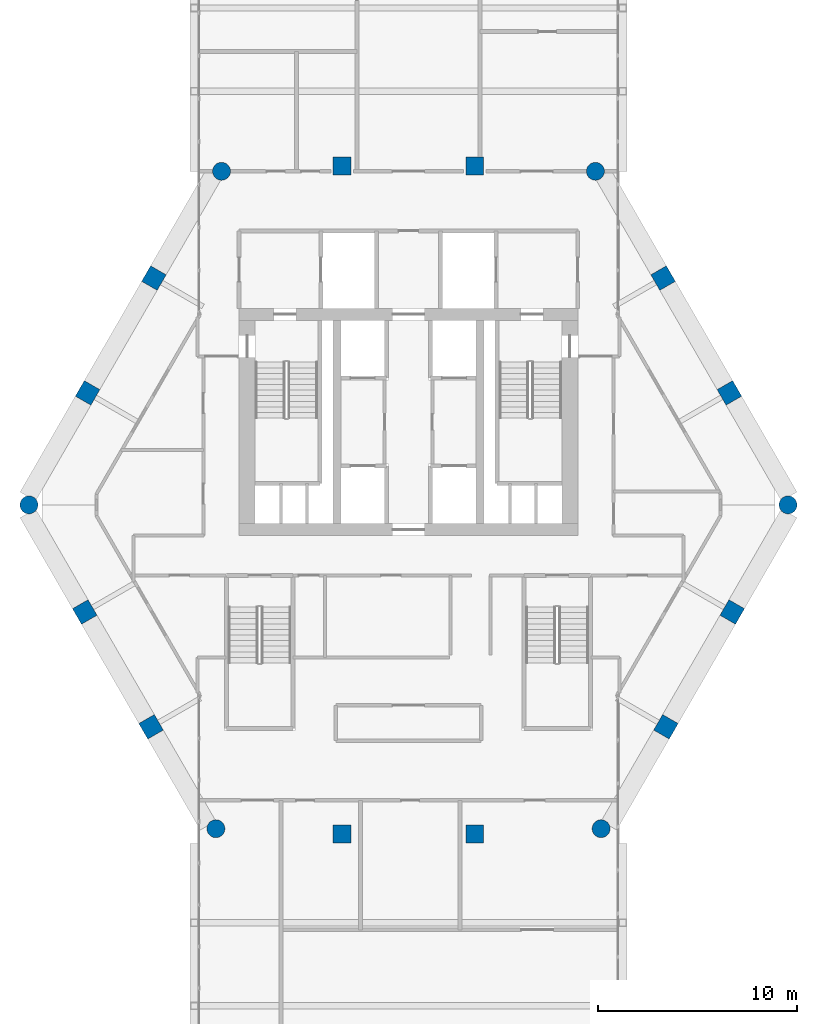
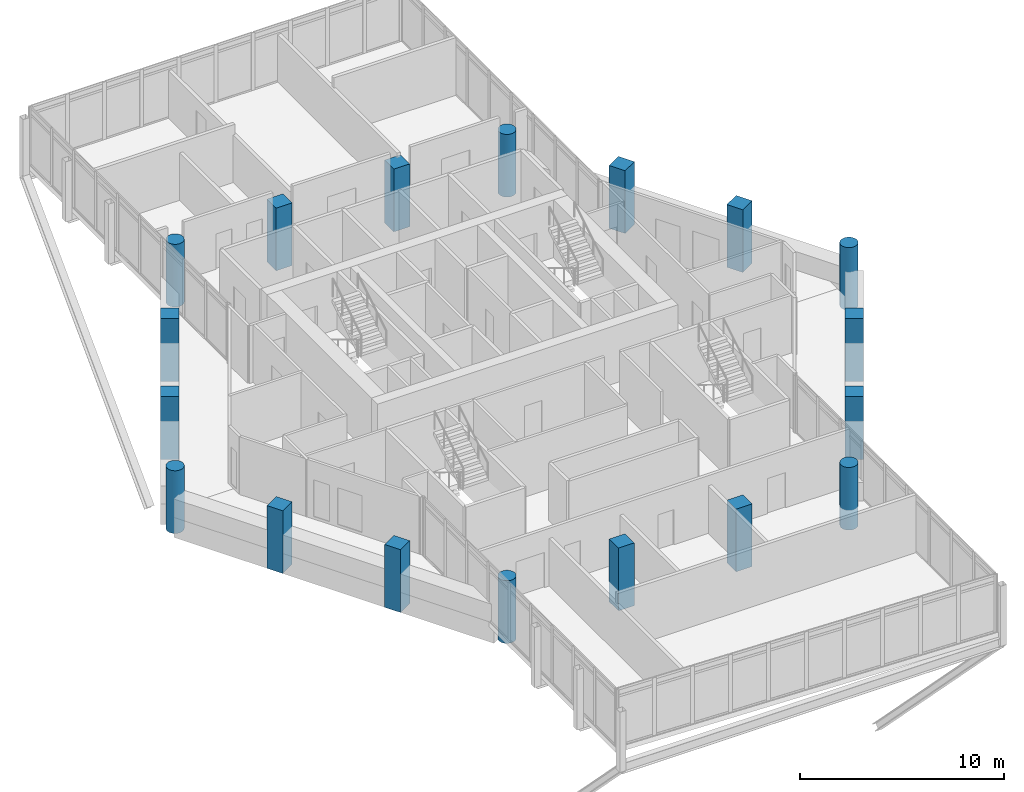
# One storey, part 1 of 34: 18 columns.
"""IFC4 building model written with IfcOpenShell, lengths in metres."""

from ifc_helpers import new_model, si_unit, direction, frame, origin, origin_2d, place, context, subcontext, project, spatial, rectangle, circle, extrude, material, material_profile, profile_set, type_object, element, save


model = new_model("IFC4")

# Units and contexts
model_context = context("Model", 3, precision=1e-05, world=origin(), true_north=direction((0.0, 1.0)))
body_context = subcontext(model_context, "Body", "Model", "MODEL_VIEW")
ifc_project = project(units=[si_unit("LENGTHUNIT", "METRE"), si_unit("AREAUNIT", "SQUARE_METRE"), si_unit("VOLUMEUNIT", "CUBIC_METRE"), si_unit("PLANEANGLEUNIT", "RADIAN"), si_unit("MASSUNIT", "GRAM", prefix="KILO")], contexts=[model_context])

# Site, building, storey
site_placement = place(None, origin())
site = spatial("IfcSite", under=ifc_project, at=site_placement, CompositionType="ELEMENT")
building_placement = place(site_placement, origin())
building = spatial("IfcBuilding", under=site, at=building_placement, Name="Ostrander Bayou Hotel Tower", CompositionType="ELEMENT")
storey_placement = place(building_placement, frame((0.0, 0.0, 222.0)))
storey = spatial("IfcBuildingStorey", under=building, at=storey_placement, Name="L55", CompositionType="ELEMENT", Elevation=222.0)

# Columns
ifc_material_1 = material(Name="Concrete f'c 60 MPa", Category="concrete")
ifc_material_profile_1 = material_profile(ifc_material_1, circle(Radius=0.449951171875, at=origin_2d()))
ifc_profile_set_1 = profile_set([ifc_material_profile_1], Name="Concrete f'c 60 MPa")
column_type_1 = type_object("IfcColumnType", Name="C7 round column 900 mm f'c 60 MPa", PredefinedType="COLUMN", material=ifc_profile_set_1)
for number, where, z_axis, x_axis, name in (
    (1, (-9.388671875, 16.588623046875, -1.199951171875), (0.0, 0.0, 1.0), (1.0, 0.0, 0.0), "C7 L55 K0"),
    (2, (-19.060546875, -0.163818359375, -1.199951171875), (0.0, 0.0, 1.0), (1.0, 0.0, 0.0), "C7 L55 K1"),
    (3, (-9.672119140625, -16.425048828125, -1.199951171875), (0.0, 0.0, 1.0), (1.0, 0.0, 0.0), "C7 L55 K2"),
    (4, (9.672119140625, -16.425048828125, -1.199951171875), (0.0, 0.0, 1.0), (1.0, 0.0, 0.0), "C7 L55 K3"),
    (5, (19.060546875, -0.163818359375, -1.199951171875), (0.0, 0.0, 1.0), (1.0, 0.0, 0.0), "C7 L55 K4"),
    (6, (9.388671875, 16.588623046875, -1.199951171875), (0.0, 0.0, 1.0), (1.0, 0.0, 0.0), "C7 L55 K5"),
):
    element("IfcColumn", number, at=place(storey_placement, frame(where, z_axis=z_axis, x_axis=x_axis)), inside=storey, type_object=column_type_1, Name=name, PredefinedType="COLUMN", context=body_context, shape_type="SweptSolid", body=[
        extrude(circle(Radius=0.449951171875, at=origin_2d()), origin(), (0.0, 0.0, 1.0), 3.75),
    ])
ifc_material_2 = material(Name="Concrete f'c 60 MPa", Category="concrete")
ifc_material_profile_2 = material_profile(ifc_material_2, rectangle(XDim=0.89990234375, YDim=0.89990234375, at=origin_2d()))
ifc_profile_set_2 = profile_set([ifc_material_profile_2], Name="Concrete f'c 60 MPa")
column_type_2 = type_object("IfcColumnType", Name="C8 square column 900 x 900 mm f'c 60 MPa", PredefinedType="COLUMN", material=ifc_profile_set_2)
for number, where, z_axis, x_axis, name in (
    (7, (3.329345703125, 16.85009765625, -1.199951171875), (0.0, 0.0, 1.0), (1.0, 0.0, 0.0), "C8 L55 N1"),
    (8, (-3.329345703125, 16.85009765625, -1.199951171875), (0.0, 0.0, 1.0), (1.0, 0.0, 0.0), "C8 L55 N2"),
    (9, (-12.7861328125, 11.2265625, -1.199951171875), (0.0, 0.0, 1.0), (0.5, 0.866025403784, 0.0), "C8 L55 NW1"),
    (10, (-16.115478515625, 5.459716796875, -1.199951171875), (0.0, 0.0, 1.0), (0.5, 0.866025403784, 0.0), "C8 L55 NW2"),
    (11, (-16.257080078125, -5.541748046875, -1.199951171875), (0.0, 0.0, 1.0), (-0.5, 0.866025403784, 0.0), "C8 L55 SW1"),
    (12, (-12.927734375, -11.308349609375, -1.199951171875), (0.0, 0.0, 1.0), (-0.5, 0.866025403784, 0.0), "C8 L55 SW2"),
    (13, (-3.329345703125, -16.686279296875, -1.199951171875), (0.0, 0.0, 1.0), (-1.0, 0.0, 0.0), "C8 L55 S1"),
    (14, (3.329345703125, -16.686279296875, -1.199951171875), (0.0, 0.0, 1.0), (-1.0, 0.0, 0.0), "C8 L55 S2"),
    (15, (12.927734375, -11.308349609375, -1.199951171875), (0.0, 0.0, 1.0), (-0.5, -0.866025403784, 0.0), "C8 L55 SE1"),
    (16, (16.257080078125, -5.541748046875, -1.199951171875), (0.0, 0.0, 1.0), (-0.5, -0.866025403784, 0.0), "C8 L55 SE2"),
    (17, (16.115478515625, 5.459716796875, -1.199951171875), (0.0, 0.0, 1.0), (0.5, -0.866025403784, 0.0), "C8 L55 NE1"),
    (18, (12.7861328125, 11.2265625, -1.199951171875), (0.0, 0.0, 1.0), (0.5, -0.866025403784, 0.0), "C8 L55 NE2"),
):
    element("IfcColumn", number, at=place(storey_placement, frame(where, z_axis=z_axis, x_axis=x_axis)), inside=storey, type_object=column_type_2, Name=name, PredefinedType="COLUMN", context=body_context, shape_type="SweptSolid", body=[
        extrude(rectangle(XDim=0.89990234375, YDim=0.89990234375, at=origin_2d()), origin(), (0.0, 0.0, 1.0), 3.75),
    ])

save(model, "model.ifc")
